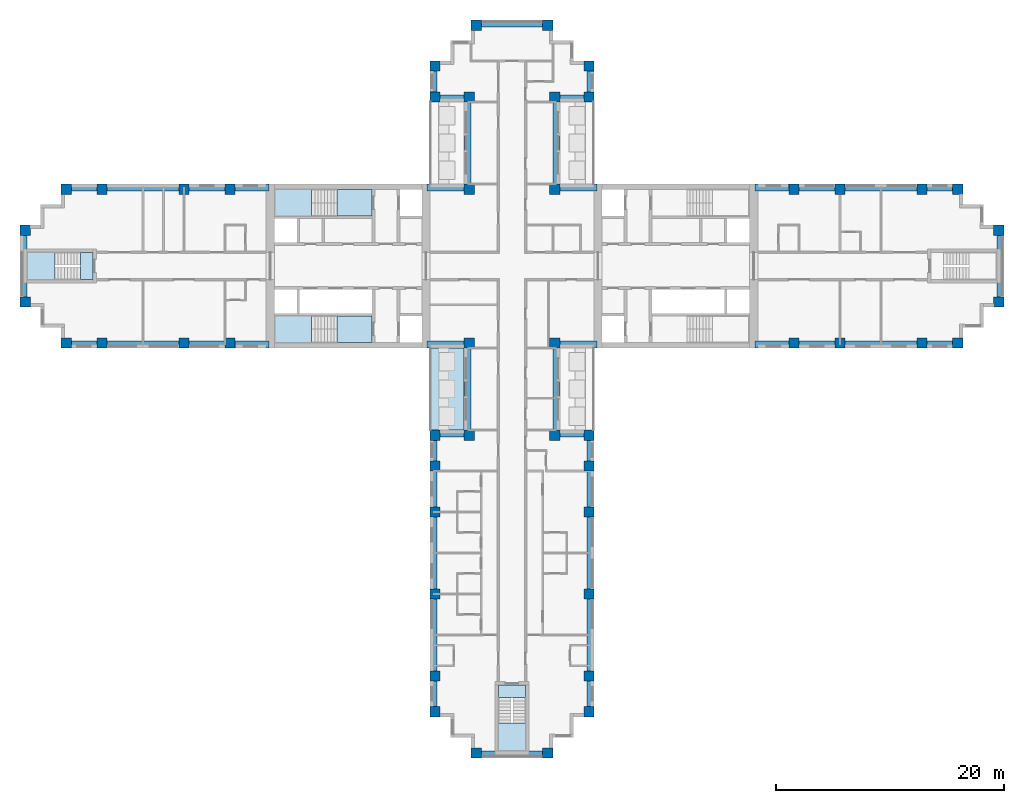
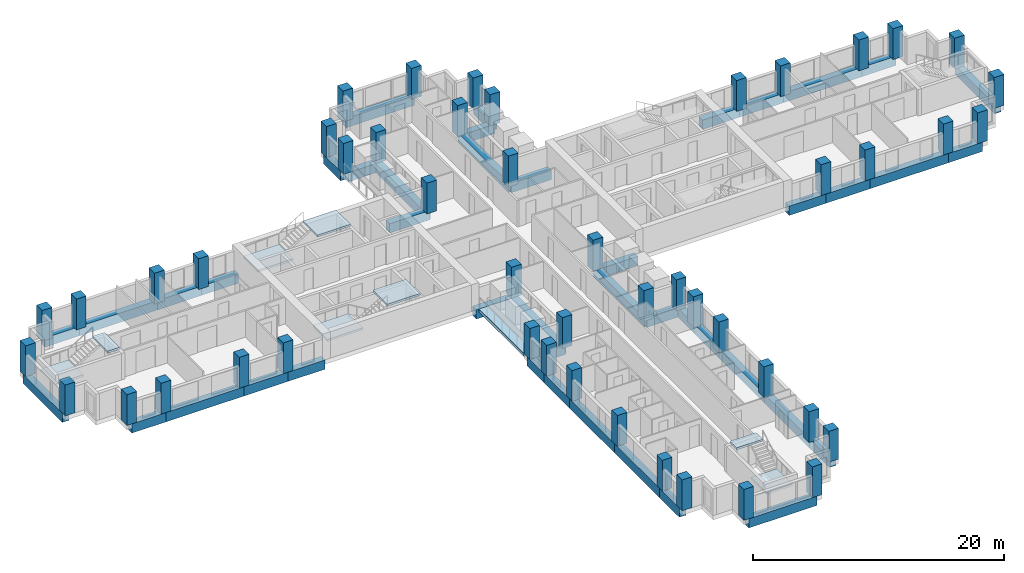
# One storey, part 1 of 13: 48 columns, 44 beams, 9 slabs, 4 elements without a shape of their own.
"""IFC4 building model written with IfcOpenShell, lengths in metres."""

from ifc_helpers import new_model, si_unit, direction, frame, origin, origin_2d, place, context, subcontext, project, spatial, polyline, rectangle, outline, extrude, material, layer, layer_set, material_profile, profile_set, type_object, element, aggregate, save


model = new_model("IFC4")

# Units and contexts
model_context = context("Model", 3, precision=1e-05, world=origin(), true_north=direction((0.0, 1.0)))
body_context = subcontext(model_context, "Body", "Model", "MODEL_VIEW")
ifc_project = project(units=[si_unit("LENGTHUNIT", "METRE"), si_unit("AREAUNIT", "SQUARE_METRE"), si_unit("VOLUMEUNIT", "CUBIC_METRE"), si_unit("PLANEANGLEUNIT", "RADIAN"), si_unit("MASSUNIT", "GRAM", prefix="KILO")], contexts=[model_context])

# Site, building, storey
site_placement = place(None, origin())
site = spatial("IfcSite", under=ifc_project, at=site_placement, CompositionType="ELEMENT")
building_placement = place(site_placement, origin())
building = spatial("IfcBuilding", under=site, at=building_placement, Name="Fustian Cross Tower", CompositionType="ELEMENT")
storey_placement = place(building_placement, frame((0.0, 0.0, 87.89990234375)))
storey = spatial("IfcBuildingStorey", under=building, at=storey_placement, Name="L27", CompositionType="ELEMENT", Elevation=87.89990234375)

# Columns
ifc_material_1 = material(Name="Concrete C60/75", Category="concrete")
ifc_material_profile_1 = material_profile(ifc_material_1, rectangle(XDim=0.89990234375, YDim=0.89990234375, at=origin_2d()), Name="RC 900x900")
ifc_profile_set_1 = profile_set([ifc_material_profile_1], Name="Concrete C60/75")
column_type = type_object("IfcColumnType", Name="COLUMN RC 900x900 C60/75", PredefinedType="COLUMN", material=ifc_profile_set_1)
for number, where, z_axis, x_axis, name in (
    (1, (-42.75, -3.14990234375, 0.0), (0.0, 0.0, 1.0), (1.0, 0.0, 0.0), "COLUMN 001"),
    (2, (-42.75, 3.14990234375, 0.0), (0.0, 0.0, 1.0), (1.0, 0.0, 0.0), "COLUMN 002"),
    (3, (-39.14990234375, -6.75, 0.0), (0.0, 0.0, 1.0), (1.0, 0.0, 0.0), "COLUMN 003"),
    (4, (-39.14990234375, 6.75, 0.0), (0.0, 0.0, 1.0), (1.0, 0.0, 0.0), "COLUMN 004"),
    (5, (-36.0, -6.75, 0.0), (0.0, 0.0, 1.0), (1.0, 0.0, 0.0), "COLUMN 005"),
    (6, (-36.0, 6.75, 0.0), (0.0, 0.0, 1.0), (1.0, 0.0, 0.0), "COLUMN 006"),
    (7, (-28.800048828125, -6.75, 0.0), (0.0, 0.0, 1.0), (1.0, 0.0, 0.0), "COLUMN 007"),
    (8, (-28.800048828125, 6.75, 0.0), (0.0, 0.0, 1.0), (1.0, 0.0, 0.0), "COLUMN 010"),
    (9, (-24.75, -6.75, 0.0), (0.0, 0.0, 1.0), (1.0, 0.0, 0.0), "COLUMN 011"),
    (10, (-24.75, 6.75, 0.0), (0.0, 0.0, 1.0), (1.0, 0.0, 0.0), "COLUMN 012"),
    (11, (-6.75, -39.14990234375, 0.0), (0.0, 0.0, 1.0), (1.0, 0.0, 0.0), "COLUMN 013"),
    (12, (-6.75, -36.0, 0.0), (0.0, 0.0, 1.0), (1.0, 0.0, 0.0), "COLUMN 014"),
    (13, (-6.75, -28.800048828125, 0.0), (0.0, 0.0, 1.0), (1.0, 0.0, 0.0), "COLUMN 015"),
    (14, (-6.75, -21.60009765625, 0.0), (0.0, 0.0, 1.0), (1.0, 0.0, 0.0), "COLUMN 016"),
    (15, (-6.75, -17.550048828125, 0.0), (0.0, 0.0, 1.0), (1.0, 0.0, 0.0), "COLUMN 017"),
    (16, (-6.75, -14.85009765625, 0.0), (0.0, 0.0, 1.0), (1.0, 0.0, 0.0), "COLUMN 018"),
    (17, (-6.75, 14.85009765625, 0.0), (0.0, 0.0, 1.0), (1.0, 0.0, 0.0), "COLUMN 019"),
    (18, (-6.75, 17.550048828125, 0.0), (0.0, 0.0, 1.0), (1.0, 0.0, 0.0), "COLUMN 020"),
    (19, (-3.75, -14.85009765625, 0.0), (0.0, 0.0, 1.0), (1.0, 0.0, 0.0), "COLUMN 025"),
    (20, (-3.75, -6.75, 0.0), (0.0, 0.0, 1.0), (1.0, 0.0, 0.0), "COLUMN 026"),
    (21, (-3.75, 6.75, 0.0), (0.0, 0.0, 1.0), (1.0, 0.0, 0.0), "COLUMN 027"),
    (22, (-3.75, 14.85009765625, 0.0), (0.0, 0.0, 1.0), (1.0, 0.0, 0.0), "COLUMN 028"),
    (23, (-3.14990234375, -42.75, 0.0), (0.0, 0.0, 1.0), (1.0, 0.0, 0.0), "COLUMN 029"),
    (24, (-3.14990234375, 21.14990234375, 0.0), (0.0, 0.0, 1.0), (1.0, 0.0, 0.0), "COLUMN 031"),
    (25, (3.14990234375, -42.75, 0.0), (0.0, 0.0, 1.0), (1.0, 0.0, 0.0), "COLUMN 033"),
    (26, (3.14990234375, 21.14990234375, 0.0), (0.0, 0.0, 1.0), (1.0, 0.0, 0.0), "COLUMN 035"),
    (27, (3.75, -14.85009765625, 0.0), (0.0, 0.0, 1.0), (1.0, 0.0, 0.0), "COLUMN 037"),
    (28, (3.75, -6.75, 0.0), (0.0, 0.0, 1.0), (1.0, 0.0, 0.0), "COLUMN 038"),
    (29, (3.75, 6.75, 0.0), (0.0, 0.0, 1.0), (1.0, 0.0, 0.0), "COLUMN 039"),
    (30, (3.75, 14.85009765625, 0.0), (0.0, 0.0, 1.0), (1.0, 0.0, 0.0), "COLUMN 040"),
    (31, (6.75, -39.14990234375, 0.0), (0.0, 0.0, 1.0), (1.0, 0.0, 0.0), "COLUMN 041"),
    (32, (6.75, -36.0, 0.0), (0.0, 0.0, 1.0), (1.0, 0.0, 0.0), "COLUMN 042"),
    (33, (6.75, -28.800048828125, 0.0), (0.0, 0.0, 1.0), (1.0, 0.0, 0.0), "COLUMN 043"),
    (34, (6.75, -21.60009765625, 0.0), (0.0, 0.0, 1.0), (1.0, 0.0, 0.0), "COLUMN 044"),
    (35, (6.75, -17.550048828125, 0.0), (0.0, 0.0, 1.0), (1.0, 0.0, 0.0), "COLUMN 045"),
    (36, (6.75, -14.85009765625, 0.0), (0.0, 0.0, 1.0), (1.0, 0.0, 0.0), "COLUMN 046"),
    (37, (6.75, 14.85009765625, 0.0), (0.0, 0.0, 1.0), (1.0, 0.0, 0.0), "COLUMN 047"),
    (38, (6.75, 17.550048828125, 0.0), (0.0, 0.0, 1.0), (1.0, 0.0, 0.0), "COLUMN 048"),
    (39, (24.75, -6.75, 0.0), (0.0, 0.0, 1.0), (1.0, 0.0, 0.0), "COLUMN 053"),
    (40, (24.75, 6.75, 0.0), (0.0, 0.0, 1.0), (1.0, 0.0, 0.0), "COLUMN 054"),
    (41, (28.800048828125, -6.75, 0.0), (0.0, 0.0, 1.0), (1.0, 0.0, 0.0), "COLUMN 055"),
    (42, (28.800048828125, 6.75, 0.0), (0.0, 0.0, 1.0), (1.0, 0.0, 0.0), "COLUMN 058"),
    (43, (36.0, -6.75, 0.0), (0.0, 0.0, 1.0), (1.0, 0.0, 0.0), "COLUMN 059"),
    (44, (36.0, 6.75, 0.0), (0.0, 0.0, 1.0), (1.0, 0.0, 0.0), "COLUMN 060"),
    (45, (39.14990234375, -6.75, 0.0), (0.0, 0.0, 1.0), (1.0, 0.0, 0.0), "COLUMN 061"),
    (46, (39.14990234375, 6.75, 0.0), (0.0, 0.0, 1.0), (1.0, 0.0, 0.0), "COLUMN 062"),
    (47, (42.75, -3.14990234375, 0.0), (0.0, 0.0, 1.0), (1.0, 0.0, 0.0), "COLUMN 063"),
    (48, (42.75, 3.14990234375, 0.0), (0.0, 0.0, 1.0), (1.0, 0.0, 0.0), "COLUMN 064"),
):
    element("IfcColumn", number, at=place(storey_placement, frame(where, z_axis=z_axis, x_axis=x_axis)), inside=storey, type_object=column_type, Name=name, PredefinedType="COLUMN", context=body_context, shape_type="SweptSolid", body=[
        extrude(rectangle(XDim=0.89990234375, YDim=0.89990234375, at=origin_2d()), origin(), (0.0, 0.0, 1.0), 3.0),
    ])

# Beams
ifc_material_2 = material(Name="Concrete C50/60", Category="concrete")
ifc_material_profile_2 = material_profile(ifc_material_2, rectangle(XDim=0.60009765625, YDim=0.89990234375, at=origin_2d()), Name="RC 600x900")
ifc_profile_set_2 = profile_set([ifc_material_profile_2], Name="Concrete C50/60")
beam_type = type_object("IfcBeamType", Name="EDGE BEAM RC 600x900 C50/60", PredefinedType="SPANDREL", material=ifc_profile_set_2)
beam_1_placement = place(storey_placement, frame((21.35009765625, -6.89990234375, -0.449951171875), z_axis=(1.0, 0.0, 0.0), x_axis=(0.0, 1.0, 0.0)))
element("IfcBeam", 49, at=beam_1_placement, inside=storey, type_object=beam_type, Name="EDGE BEAM L27-01", PredefinedType="SPANDREL", context=body_context, shape_type="SweptSolid", body=[
    extrude(rectangle(XDim=0.60009765625, YDim=0.89990234375, at=origin_2d()), origin(), (0.0, 0.0, 1.0), 3.39990234375),
])
beam_2_placement = place(storey_placement, frame((24.75, -6.89990234375, -0.449951171875), z_axis=(1.0, 0.0, 0.0), x_axis=(0.0, 1.0, 0.0)))
element("IfcBeam", 50, at=beam_2_placement, inside=storey, type_object=beam_type, Name="EDGE BEAM L27-02", PredefinedType="SPANDREL", context=body_context, shape_type="SweptSolid", body=[
    extrude(rectangle(XDim=0.60009765625, YDim=0.89990234375, at=origin_2d()), origin(), (0.0, 0.0, 1.0), 4.050048828125),
])
beam_3_placement = place(storey_placement, frame((28.800048828125, -6.89990234375, -0.449951171875), z_axis=(1.0, 0.0, 0.0), x_axis=(0.0, 1.0, 0.0)))
element("IfcBeam", 51, at=beam_3_placement, inside=storey, type_object=beam_type, Name="EDGE BEAM L27-03", PredefinedType="SPANDREL", context=body_context, shape_type="SweptSolid", body=[
    extrude(rectangle(XDim=0.60009765625, YDim=0.89990234375, at=origin_2d()), origin(), (0.0, 0.0, 1.0), 7.199951171875),
])
beam_4_placement = place(storey_placement, frame((36.0, -6.89990234375, -0.449951171875), z_axis=(1.0, 0.0, 0.0), x_axis=(0.0, 1.0, 0.0)))
element("IfcBeam", 52, at=beam_4_placement, inside=storey, type_object=beam_type, Name="EDGE BEAM L27-04", PredefinedType="SPANDREL", context=body_context, shape_type="SweptSolid", body=[
    extrude(rectangle(XDim=0.60009765625, YDim=0.89990234375, at=origin_2d()), origin(), (0.0, 0.0, 1.0), 3.14990234375),
])
beam_5_placement = place(storey_placement, frame((42.89990234375, -3.14990234375, -0.449951171875), z_axis=(0.0, 1.0, 0.0), x_axis=(-1.0, 0.0, 0.0)))
element("IfcBeam", 53, at=beam_5_placement, inside=storey, type_object=beam_type, Name="EDGE BEAM L27-05", PredefinedType="SPANDREL", context=body_context, shape_type="SweptSolid", body=[
    extrude(rectangle(XDim=0.60009765625, YDim=0.89990234375, at=origin_2d()), origin(), (0.0, 0.0, 1.0), 6.2998046875),
])
beam_6_placement = place(storey_placement, frame((39.14990234375, 6.89990234375, -0.449951171875), z_axis=(-1.0, 0.0, 0.0), x_axis=(0.0, -1.0, 0.0)))
element("IfcBeam", 54, at=beam_6_placement, inside=storey, type_object=beam_type, Name="EDGE BEAM L27-06", PredefinedType="SPANDREL", context=body_context, shape_type="SweptSolid", body=[
    extrude(rectangle(XDim=0.60009765625, YDim=0.89990234375, at=origin_2d()), origin(), (0.0, 0.0, 1.0), 3.14990234375),
])
beam_7_placement = place(storey_placement, frame((36.0, 6.89990234375, -0.449951171875), z_axis=(-1.0, 0.0, 0.0), x_axis=(0.0, -1.0, 0.0)))
element("IfcBeam", 55, at=beam_7_placement, inside=storey, type_object=beam_type, Name="EDGE BEAM L27-07", PredefinedType="SPANDREL", context=body_context, shape_type="SweptSolid", body=[
    extrude(rectangle(XDim=0.60009765625, YDim=0.89990234375, at=origin_2d()), origin(), (0.0, 0.0, 1.0), 7.199951171875),
])
beam_8_placement = place(storey_placement, frame((28.800048828125, 6.89990234375, -0.449951171875), z_axis=(-1.0, 0.0, 0.0), x_axis=(0.0, -1.0, 0.0)))
element("IfcBeam", 56, at=beam_8_placement, inside=storey, type_object=beam_type, Name="EDGE BEAM L27-08", PredefinedType="SPANDREL", context=body_context, shape_type="SweptSolid", body=[
    extrude(rectangle(XDim=0.60009765625, YDim=0.89990234375, at=origin_2d()), origin(), (0.0, 0.0, 1.0), 4.050048828125),
])
beam_9_placement = place(storey_placement, frame((24.75, 6.89990234375, -0.449951171875), z_axis=(-1.0, 0.0, 0.0), x_axis=(0.0, -1.0, 0.0)))
element("IfcBeam", 57, at=beam_9_placement, inside=storey, type_object=beam_type, Name="EDGE BEAM L27-09", PredefinedType="SPANDREL", context=body_context, shape_type="SweptSolid", body=[
    extrude(rectangle(XDim=0.60009765625, YDim=0.89990234375, at=origin_2d()), origin(), (0.0, 0.0, 1.0), 3.39990234375),
])
beam_10_placement = place(storey_placement, frame((7.449951171875, 6.89990234375, -0.449951171875), z_axis=(-1.0, 0.0, 0.0), x_axis=(0.0, -1.0, 0.0)))
element("IfcBeam", 58, at=beam_10_placement, inside=storey, type_object=beam_type, Name="EDGE BEAM L27-10", PredefinedType="SPANDREL", context=body_context, shape_type="SweptSolid", body=[
    extrude(rectangle(XDim=0.60009765625, YDim=0.89990234375, at=origin_2d()), origin(), (0.0, 0.0, 1.0), 3.699951171875),
])
beam_11_placement = place(storey_placement, frame((3.89990234375, 6.75, -0.449951171875), z_axis=(0.0, 1.0, 0.0), x_axis=(-1.0, 0.0, 0.0)))
element("IfcBeam", 59, at=beam_11_placement, inside=storey, type_object=beam_type, Name="EDGE BEAM L27-11", PredefinedType="SPANDREL", context=body_context, shape_type="SweptSolid", body=[
    extrude(rectangle(XDim=0.60009765625, YDim=0.89990234375, at=origin_2d()), origin(), (0.0, 0.0, 1.0), 8.10009765625),
])
beam_12_placement = place(storey_placement, frame((3.75, 14.699951171875, -0.449951171875), z_axis=(1.0, 0.0, 0.0), x_axis=(0.0, 1.0, 0.0)))
element("IfcBeam", 60, at=beam_12_placement, inside=storey, type_object=beam_type, Name="EDGE BEAM L27-12", PredefinedType="SPANDREL", context=body_context, shape_type="SweptSolid", body=[
    extrude(rectangle(XDim=0.60009765625, YDim=0.89990234375, at=origin_2d()), origin(), (0.0, 0.0, 1.0), 3.0),
])
beam_13_placement = place(storey_placement, frame((6.89990234375, 14.85009765625, -0.449951171875), z_axis=(0.0, 1.0, 0.0), x_axis=(-1.0, 0.0, 0.0)))
element("IfcBeam", 61, at=beam_13_placement, inside=storey, type_object=beam_type, Name="EDGE BEAM L27-13", PredefinedType="SPANDREL", context=body_context, shape_type="SweptSolid", body=[
    extrude(rectangle(XDim=0.60009765625, YDim=0.89990234375, at=origin_2d()), origin(), (0.0, 0.0, 1.0), 2.699951171875),
])
beam_14_placement = place(storey_placement, frame((3.14990234375, 21.300048828125, -0.449951171875), z_axis=(-1.0, 0.0, 0.0), x_axis=(0.0, -1.0, 0.0)))
element("IfcBeam", 62, at=beam_14_placement, inside=storey, type_object=beam_type, Name="EDGE BEAM L27-14", PredefinedType="SPANDREL", context=body_context, shape_type="SweptSolid", body=[
    extrude(rectangle(XDim=0.60009765625, YDim=0.89990234375, at=origin_2d()), origin(), (0.0, 0.0, 1.0), 6.2998046875),
])
beam_15_placement = place(storey_placement, frame((-6.89990234375, 17.550048828125, -0.449951171875), z_axis=(0.0, -1.0, 0.0), x_axis=(1.0, 0.0, 0.0)))
element("IfcBeam", 63, at=beam_15_placement, inside=storey, type_object=beam_type, Name="EDGE BEAM L27-15", PredefinedType="SPANDREL", context=body_context, shape_type="SweptSolid", body=[
    extrude(rectangle(XDim=0.60009765625, YDim=0.89990234375, at=origin_2d()), origin(), (0.0, 0.0, 1.0), 2.699951171875),
])
beam_16_placement = place(storey_placement, frame((-6.75, 14.699951171875, -0.449951171875), z_axis=(1.0, 0.0, 0.0), x_axis=(0.0, 1.0, 0.0)))
element("IfcBeam", 64, at=beam_16_placement, inside=storey, type_object=beam_type, Name="EDGE BEAM L27-16", PredefinedType="SPANDREL", context=body_context, shape_type="SweptSolid", body=[
    extrude(rectangle(XDim=0.60009765625, YDim=0.89990234375, at=origin_2d()), origin(), (0.0, 0.0, 1.0), 3.0),
])
beam_17_placement = place(storey_placement, frame((-3.89990234375, 14.85009765625, -0.449951171875), z_axis=(0.0, -1.0, 0.0), x_axis=(1.0, 0.0, 0.0)))
element("IfcBeam", 65, at=beam_17_placement, inside=storey, type_object=beam_type, Name="EDGE BEAM L27-17", PredefinedType="SPANDREL", context=body_context, shape_type="SweptSolid", body=[
    extrude(rectangle(XDim=0.60009765625, YDim=0.89990234375, at=origin_2d()), origin(), (0.0, 0.0, 1.0), 8.10009765625),
])
beam_18_placement = place(storey_placement, frame((-3.75, 6.89990234375, -0.449951171875), z_axis=(-1.0, 0.0, 0.0), x_axis=(0.0, -1.0, 0.0)))
element("IfcBeam", 66, at=beam_18_placement, inside=storey, type_object=beam_type, Name="EDGE BEAM L27-18", PredefinedType="SPANDREL", context=body_context, shape_type="SweptSolid", body=[
    extrude(rectangle(XDim=0.60009765625, YDim=0.89990234375, at=origin_2d()), origin(), (0.0, 0.0, 1.0), 3.699951171875),
])
beam_19_placement = place(storey_placement, frame((-21.35009765625, 6.89990234375, -0.449951171875), z_axis=(-1.0, 0.0, 0.0), x_axis=(0.0, -1.0, 0.0)))
element("IfcBeam", 67, at=beam_19_placement, inside=storey, type_object=beam_type, Name="EDGE BEAM L27-19", PredefinedType="SPANDREL", context=body_context, shape_type="SweptSolid", body=[
    extrude(rectangle(XDim=0.60009765625, YDim=0.89990234375, at=origin_2d()), origin(), (0.0, 0.0, 1.0), 3.39990234375),
])
beam_20_placement = place(storey_placement, frame((-24.75, 6.89990234375, -0.449951171875), z_axis=(-1.0, 0.0, 0.0), x_axis=(0.0, -1.0, 0.0)))
element("IfcBeam", 68, at=beam_20_placement, inside=storey, type_object=beam_type, Name="EDGE BEAM L27-20", PredefinedType="SPANDREL", context=body_context, shape_type="SweptSolid", body=[
    extrude(rectangle(XDim=0.60009765625, YDim=0.89990234375, at=origin_2d()), origin(), (0.0, 0.0, 1.0), 4.050048828125),
])
beam_21_placement = place(storey_placement, frame((-28.800048828125, 6.89990234375, -0.449951171875), z_axis=(-1.0, 0.0, 0.0), x_axis=(0.0, -1.0, 0.0)))
element("IfcBeam", 69, at=beam_21_placement, inside=storey, type_object=beam_type, Name="EDGE BEAM L27-21", PredefinedType="SPANDREL", context=body_context, shape_type="SweptSolid", body=[
    extrude(rectangle(XDim=0.60009765625, YDim=0.89990234375, at=origin_2d()), origin(), (0.0, 0.0, 1.0), 7.199951171875),
])
beam_22_placement = place(storey_placement, frame((-36.0, 6.89990234375, -0.449951171875), z_axis=(-1.0, 0.0, 0.0), x_axis=(0.0, -1.0, 0.0)))
element("IfcBeam", 70, at=beam_22_placement, inside=storey, type_object=beam_type, Name="EDGE BEAM L27-22", PredefinedType="SPANDREL", context=body_context, shape_type="SweptSolid", body=[
    extrude(rectangle(XDim=0.60009765625, YDim=0.89990234375, at=origin_2d()), origin(), (0.0, 0.0, 1.0), 3.14990234375),
])
beam_23_placement = place(storey_placement, frame((-42.89990234375, 3.14990234375, -0.449951171875), z_axis=(0.0, -1.0, 0.0), x_axis=(1.0, 0.0, 0.0)))
element("IfcBeam", 71, at=beam_23_placement, inside=storey, type_object=beam_type, Name="EDGE BEAM L27-23", PredefinedType="SPANDREL", context=body_context, shape_type="SweptSolid", body=[
    extrude(rectangle(XDim=0.60009765625, YDim=0.89990234375, at=origin_2d()), origin(), (0.0, 0.0, 1.0), 6.2998046875),
])
beam_24_placement = place(storey_placement, frame((-39.14990234375, -6.89990234375, -0.449951171875), z_axis=(1.0, 0.0, 0.0), x_axis=(0.0, 1.0, 0.0)))
element("IfcBeam", 72, at=beam_24_placement, inside=storey, type_object=beam_type, Name="EDGE BEAM L27-24", PredefinedType="SPANDREL", context=body_context, shape_type="SweptSolid", body=[
    extrude(rectangle(XDim=0.60009765625, YDim=0.89990234375, at=origin_2d()), origin(), (0.0, 0.0, 1.0), 3.14990234375),
])
beam_25_placement = place(storey_placement, frame((-36.0, -6.89990234375, -0.449951171875), z_axis=(1.0, 0.0, 0.0), x_axis=(0.0, 1.0, 0.0)))
element("IfcBeam", 73, at=beam_25_placement, inside=storey, type_object=beam_type, Name="EDGE BEAM L27-25", PredefinedType="SPANDREL", context=body_context, shape_type="SweptSolid", body=[
    extrude(rectangle(XDim=0.60009765625, YDim=0.89990234375, at=origin_2d()), origin(), (0.0, 0.0, 1.0), 7.199951171875),
])
beam_26_placement = place(storey_placement, frame((-28.800048828125, -6.89990234375, -0.449951171875), z_axis=(1.0, 0.0, 0.0), x_axis=(0.0, 1.0, 0.0)))
element("IfcBeam", 74, at=beam_26_placement, inside=storey, type_object=beam_type, Name="EDGE BEAM L27-26", PredefinedType="SPANDREL", context=body_context, shape_type="SweptSolid", body=[
    extrude(rectangle(XDim=0.60009765625, YDim=0.89990234375, at=origin_2d()), origin(), (0.0, 0.0, 1.0), 4.050048828125),
])
beam_27_placement = place(storey_placement, frame((-24.75, -6.89990234375, -0.449951171875), z_axis=(1.0, 0.0, 0.0), x_axis=(0.0, 1.0, 0.0)))
element("IfcBeam", 75, at=beam_27_placement, inside=storey, type_object=beam_type, Name="EDGE BEAM L27-27", PredefinedType="SPANDREL", context=body_context, shape_type="SweptSolid", body=[
    extrude(rectangle(XDim=0.60009765625, YDim=0.89990234375, at=origin_2d()), origin(), (0.0, 0.0, 1.0), 3.39990234375),
])
beam_28_placement = place(storey_placement, frame((-7.449951171875, -6.89990234375, -0.449951171875), z_axis=(1.0, 0.0, 0.0), x_axis=(0.0, 1.0, 0.0)))
element("IfcBeam", 76, at=beam_28_placement, inside=storey, type_object=beam_type, Name="EDGE BEAM L27-28", PredefinedType="SPANDREL", context=body_context, shape_type="SweptSolid", body=[
    extrude(rectangle(XDim=0.60009765625, YDim=0.89990234375, at=origin_2d()), origin(), (0.0, 0.0, 1.0), 3.699951171875),
])
beam_29_placement = place(storey_placement, frame((-3.89990234375, -6.75, -0.449951171875), z_axis=(0.0, -1.0, 0.0), x_axis=(1.0, 0.0, 0.0)))
element("IfcBeam", 77, at=beam_29_placement, inside=storey, type_object=beam_type, Name="EDGE BEAM L27-29", PredefinedType="SPANDREL", context=body_context, shape_type="SweptSolid", body=[
    extrude(rectangle(XDim=0.60009765625, YDim=0.89990234375, at=origin_2d()), origin(), (0.0, 0.0, 1.0), 8.10009765625),
])
beam_30_placement = place(storey_placement, frame((-3.75, -14.699951171875, -0.449951171875), z_axis=(-1.0, 0.0, 0.0), x_axis=(0.0, -1.0, 0.0)))
element("IfcBeam", 78, at=beam_30_placement, inside=storey, type_object=beam_type, Name="EDGE BEAM L27-30", PredefinedType="SPANDREL", context=body_context, shape_type="SweptSolid", body=[
    extrude(rectangle(XDim=0.60009765625, YDim=0.89990234375, at=origin_2d()), origin(), (0.0, 0.0, 1.0), 3.0),
])
beam_31_placement = place(storey_placement, frame((-6.89990234375, -14.85009765625, -0.449951171875), z_axis=(0.0, -1.0, 0.0), x_axis=(1.0, 0.0, 0.0)))
element("IfcBeam", 79, at=beam_31_placement, inside=storey, type_object=beam_type, Name="EDGE BEAM L27-31", PredefinedType="SPANDREL", context=body_context, shape_type="SweptSolid", body=[
    extrude(rectangle(XDim=0.60009765625, YDim=0.89990234375, at=origin_2d()), origin(), (0.0, 0.0, 1.0), 2.699951171875),
])
beam_32_placement = place(storey_placement, frame((-6.89990234375, -17.550048828125, -0.449951171875), z_axis=(0.0, -1.0, 0.0), x_axis=(1.0, 0.0, 0.0)))
element("IfcBeam", 80, at=beam_32_placement, inside=storey, type_object=beam_type, Name="EDGE BEAM L27-32", PredefinedType="SPANDREL", context=body_context, shape_type="SweptSolid", body=[
    extrude(rectangle(XDim=0.60009765625, YDim=0.89990234375, at=origin_2d()), origin(), (0.0, 0.0, 1.0), 4.050048828125),
])
for number, where, z_axis, x_axis, name in (
    (81, (-6.89990234375, -21.60009765625, -0.449951171875), (0.0, -1.0, 0.0), (1.0, 0.0, 0.0), "EDGE BEAM L27-33"),
    (82, (-6.89990234375, -28.800048828125, -0.449951171875), (0.0, -1.0, 0.0), (1.0, 0.0, 0.0), "EDGE BEAM L27-34"),
):
    element("IfcBeam", number, at=place(storey_placement, frame(where, z_axis=z_axis, x_axis=x_axis)), inside=storey, type_object=beam_type, Name=name, PredefinedType="SPANDREL", context=body_context, shape_type="SweptSolid", body=[
        extrude(rectangle(XDim=0.60009765625, YDim=0.89990234375, at=origin_2d()), origin(), (0.0, 0.0, 1.0), 7.199951171875),
    ])
beam_33_placement = place(storey_placement, frame((-6.89990234375, -36.0, -0.449951171875), z_axis=(0.0, -1.0, 0.0), x_axis=(1.0, 0.0, 0.0)))
element("IfcBeam", 83, at=beam_33_placement, inside=storey, type_object=beam_type, Name="EDGE BEAM L27-35", PredefinedType="SPANDREL", context=body_context, shape_type="SweptSolid", body=[
    extrude(rectangle(XDim=0.60009765625, YDim=0.89990234375, at=origin_2d()), origin(), (0.0, 0.0, 1.0), 3.14990234375),
])
beam_34_placement = place(storey_placement, frame((-3.14990234375, -42.89990234375, -0.449951171875), z_axis=(1.0, 0.0, 0.0), x_axis=(0.0, 1.0, 0.0)))
element("IfcBeam", 84, at=beam_34_placement, inside=storey, type_object=beam_type, Name="EDGE BEAM L27-36", PredefinedType="SPANDREL", context=body_context, shape_type="SweptSolid", body=[
    extrude(rectangle(XDim=0.60009765625, YDim=0.89990234375, at=origin_2d()), origin(), (0.0, 0.0, 1.0), 6.2998046875),
])
beam_35_placement = place(storey_placement, frame((6.89990234375, -39.14990234375, -0.449951171875), z_axis=(0.0, 1.0, 0.0), x_axis=(-1.0, 0.0, 0.0)))
element("IfcBeam", 85, at=beam_35_placement, inside=storey, type_object=beam_type, Name="EDGE BEAM L27-37", PredefinedType="SPANDREL", context=body_context, shape_type="SweptSolid", body=[
    extrude(rectangle(XDim=0.60009765625, YDim=0.89990234375, at=origin_2d()), origin(), (0.0, 0.0, 1.0), 3.14990234375),
])
for number, where, z_axis, x_axis, name in (
    (86, (6.89990234375, -36.0, -0.449951171875), (0.0, 1.0, 0.0), (-1.0, 0.0, 0.0), "EDGE BEAM L27-38"),
    (87, (6.89990234375, -28.800048828125, -0.449951171875), (0.0, 1.0, 0.0), (-1.0, 0.0, 0.0), "EDGE BEAM L27-39"),
):
    element("IfcBeam", number, at=place(storey_placement, frame(where, z_axis=z_axis, x_axis=x_axis)), inside=storey, type_object=beam_type, Name=name, PredefinedType="SPANDREL", context=body_context, shape_type="SweptSolid", body=[
        extrude(rectangle(XDim=0.60009765625, YDim=0.89990234375, at=origin_2d()), origin(), (0.0, 0.0, 1.0), 7.199951171875),
    ])
beam_36_placement = place(storey_placement, frame((6.89990234375, -21.60009765625, -0.449951171875), z_axis=(0.0, 1.0, 0.0), x_axis=(-1.0, 0.0, 0.0)))
element("IfcBeam", 88, at=beam_36_placement, inside=storey, type_object=beam_type, Name="EDGE BEAM L27-40", PredefinedType="SPANDREL", context=body_context, shape_type="SweptSolid", body=[
    extrude(rectangle(XDim=0.60009765625, YDim=0.89990234375, at=origin_2d()), origin(), (0.0, 0.0, 1.0), 4.050048828125),
])
beam_37_placement = place(storey_placement, frame((6.89990234375, -17.550048828125, -0.449951171875), z_axis=(0.0, 1.0, 0.0), x_axis=(-1.0, 0.0, 0.0)))
element("IfcBeam", 89, at=beam_37_placement, inside=storey, type_object=beam_type, Name="EDGE BEAM L27-41", PredefinedType="SPANDREL", context=body_context, shape_type="SweptSolid", body=[
    extrude(rectangle(XDim=0.60009765625, YDim=0.89990234375, at=origin_2d()), origin(), (0.0, 0.0, 1.0), 2.699951171875),
])
beam_38_placement = place(storey_placement, frame((6.75, -14.699951171875, -0.449951171875), z_axis=(-1.0, 0.0, 0.0), x_axis=(0.0, -1.0, 0.0)))
element("IfcBeam", 90, at=beam_38_placement, inside=storey, type_object=beam_type, Name="EDGE BEAM L27-42", PredefinedType="SPANDREL", context=body_context, shape_type="SweptSolid", body=[
    extrude(rectangle(XDim=0.60009765625, YDim=0.89990234375, at=origin_2d()), origin(), (0.0, 0.0, 1.0), 3.0),
])
beam_39_placement = place(storey_placement, frame((3.89990234375, -14.85009765625, -0.449951171875), z_axis=(0.0, 1.0, 0.0), x_axis=(-1.0, 0.0, 0.0)))
element("IfcBeam", 91, at=beam_39_placement, inside=storey, type_object=beam_type, Name="EDGE BEAM L27-43", PredefinedType="SPANDREL", context=body_context, shape_type="SweptSolid", body=[
    extrude(rectangle(XDim=0.60009765625, YDim=0.89990234375, at=origin_2d()), origin(), (0.0, 0.0, 1.0), 8.10009765625),
])
beam_40_placement = place(storey_placement, frame((3.75, -6.89990234375, -0.449951171875), z_axis=(1.0, 0.0, 0.0), x_axis=(0.0, 1.0, 0.0)))
element("IfcBeam", 92, at=beam_40_placement, inside=storey, type_object=beam_type, Name="EDGE BEAM L27-44", PredefinedType="SPANDREL", context=body_context, shape_type="SweptSolid", body=[
    extrude(rectangle(XDim=0.60009765625, YDim=0.89990234375, at=origin_2d()), origin(), (0.0, 0.0, 1.0), 3.699951171875),
])

# Slab
ifc_material_3 = material(Name="Concrete C40/50", Category="concrete")
ifc_layer_1 = layer(ifc_material_3, 0.300048828125)
ifc_layer_set_1 = layer_set([ifc_layer_1], Name="Concrete C40/50")
slab_type_1 = type_object("IfcSlabType", Name="BS1 BALCONY SLAB 300", PredefinedType="FLOOR", material=ifc_layer_set_1)
slab_1_placement = place(storey_placement, frame((0.0, 0.0, -0.2998046875)))
element("IfcSlab", 93, at=slab_1_placement, inside=storey, type_object=slab_type_1, Name="Balcony slab", PredefinedType="FLOOR", context=body_context, shape_type="SweptSolid", body=[
    extrude(outline(polyline([(-7.199951171875, -14.39990234375), (-4.199951171875, -14.39990234375), (-4.199951171875, -7.199951171875), (-7.199951171875, -7.199951171875), (-7.199951171875, -14.39990234375)])), origin(), (0.0, 0.0, 1.0), 0.2998046875),
])

# Stair, slabs
ifc_material_4 = material(Name="Concrete C50/60", Category="concrete")
stair_type_1 = type_object("IfcStairType", Name="STAIR 1150 HALF TURN", PredefinedType="HALF_TURN_STAIR", material=ifc_material_4)
stair_1_placement = place(storey_placement, origin())
stair_1 = element("IfcStair", 94, at=stair_1_placement, inside=storey, type_object=stair_type_1, Name="Stair ST3", PredefinedType="HALF_TURN_STAIR")
ifc_material_5 = material(Name="Concrete C50/60", Category="concrete")
ifc_layer_2 = layer(ifc_material_5, 0.199951171875)
ifc_layer_set_2 = layer_set([ifc_layer_2], Name="Concrete C50/60")
slab_type_2 = type_object("IfcSlabType", Name="STAIR LANDING", PredefinedType="LANDING", material=ifc_layer_set_2)
slab_2_placement = place(storey_placement, frame((0.0, 0.0, 1.300048828125)))
slab_2 = element("IfcSlab", 95, at=slab_2_placement, type_object=slab_type_2, Name="ST3 landing 1", PredefinedType="LANDING", context=body_context, shape_type="SweptSolid", body=[
    extrude(outline(polyline([(-17.590087890625, 4.39990234375), (-20.85009765625, 4.39990234375), (-20.85009765625, 6.699951171875), (-17.590087890625, 6.699951171875), (-17.590087890625, 4.39990234375)])), origin(), (0.0, 0.0, 1.0), 0.199951171875),
])
slab_3_placement = place(storey_placement, frame((0.0, 0.0, 2.800048828125)))
slab_3 = element("IfcSlab", 96, at=slab_3_placement, type_object=slab_type_2, Name="ST3 landing 2", PredefinedType="LANDING", context=body_context, shape_type="SweptSolid", body=[
    extrude(outline(polyline([(-12.300048828125, 4.39990234375), (-15.35009765625, 4.39990234375), (-15.35009765625, 6.699951171875), (-12.300048828125, 6.699951171875), (-12.300048828125, 4.39990234375)])), origin(), (0.0, 0.0, 1.0), 0.199951171875),
])
aggregate(stair_1, [slab_2, slab_3])

stair_2_placement = place(storey_placement, origin())
stair_2 = element("IfcStair", 97, at=stair_2_placement, inside=storey, type_object=stair_type_1, Name="Stair ST4", PredefinedType="HALF_TURN_STAIR")
slab_4_placement = place(storey_placement, frame((0.0, 0.0, 1.300048828125)))
slab_4 = element("IfcSlab", 98, at=slab_4_placement, type_object=slab_type_2, Name="ST4 landing 1", PredefinedType="LANDING", context=body_context, shape_type="SweptSolid", body=[
    extrude(outline(polyline([(-17.590087890625, -4.39990234375), (-20.85009765625, -4.39990234375), (-20.85009765625, -6.699951171875), (-17.590087890625, -6.699951171875), (-17.590087890625, -4.39990234375)])), origin(), (0.0, 0.0, 1.0), 0.199951171875),
])
slab_5_placement = place(storey_placement, frame((0.0, 0.0, 2.800048828125)))
slab_5 = element("IfcSlab", 99, at=slab_5_placement, type_object=slab_type_2, Name="ST4 landing 2", PredefinedType="LANDING", context=body_context, shape_type="SweptSolid", body=[
    extrude(outline(polyline([(-12.300048828125, -4.39990234375), (-15.35009765625, -4.39990234375), (-15.35009765625, -6.699951171875), (-12.300048828125, -6.699951171875), (-12.300048828125, -4.39990234375)])), origin(), (0.0, 0.0, 1.0), 0.199951171875),
])
aggregate(stair_2, [slab_4, slab_5])

ifc_material_6 = material(Name="Concrete C50/60", Category="concrete")
stair_type_2 = type_object("IfcStairType", Name="STAIR 1100 HALF TURN", PredefinedType="HALF_TURN_STAIR", material=ifc_material_6)
stair_3_placement = place(storey_placement, origin())
stair_3 = element("IfcStair", 100, at=stair_3_placement, inside=storey, type_object=stair_type_2, Name="Stair ST6", PredefinedType="HALF_TURN_STAIR")
slab_6_placement = place(storey_placement, frame((0.0, 0.0, 1.300048828125)))
slab_6 = element("IfcSlab", 101, at=slab_6_placement, type_object=slab_type_2, Name="ST6 landing 1", PredefinedType="LANDING", context=body_context, shape_type="SweptSolid", body=[
    extrude(outline(polyline([(-1.199951171875, -40.139892578125), (-1.199951171875, -42.60009765625), (1.199951171875, -42.60009765625), (1.199951171875, -40.139892578125), (-1.199951171875, -40.139892578125)])), origin(), (0.0, 0.0, 1.0), 0.199951171875),
])
slab_7_placement = place(storey_placement, frame((0.0, 0.0, 2.800048828125)))
slab_7 = element("IfcSlab", 102, at=slab_7_placement, type_object=slab_type_2, Name="ST6 landing 2", PredefinedType="LANDING", context=body_context, shape_type="SweptSolid", body=[
    extrude(outline(polyline([(-1.199951171875, -36.800048828125), (-1.199951171875, -37.89990234375), (1.199951171875, -37.89990234375), (1.199951171875, -36.800048828125), (-1.199951171875, -36.800048828125)])), origin(), (0.0, 0.0, 1.0), 0.199951171875),
])
aggregate(stair_3, [slab_6, slab_7])

stair_4_placement = place(storey_placement, origin())
stair_4 = element("IfcStair", 103, at=stair_4_placement, inside=storey, type_object=stair_type_2, Name="Stair ST9", PredefinedType="HALF_TURN_STAIR")
slab_8_placement = place(storey_placement, frame((0.0, 0.0, 1.300048828125)))
slab_8 = element("IfcSlab", 104, at=slab_8_placement, type_object=slab_type_2, Name="ST9 landing 1", PredefinedType="LANDING", context=body_context, shape_type="SweptSolid", body=[
    extrude(outline(polyline([(-40.139892578125, -1.199951171875), (-42.60009765625, -1.199951171875), (-42.60009765625, 1.199951171875), (-40.139892578125, 1.199951171875), (-40.139892578125, -1.199951171875)])), origin(), (0.0, 0.0, 1.0), 0.199951171875),
])
slab_9_placement = place(storey_placement, frame((0.0, 0.0, 2.800048828125)))
slab_9 = element("IfcSlab", 105, at=slab_9_placement, type_object=slab_type_2, Name="ST9 landing 2", PredefinedType="LANDING", context=body_context, shape_type="SweptSolid", body=[
    extrude(outline(polyline([(-36.800048828125, -1.199951171875), (-37.89990234375, -1.199951171875), (-37.89990234375, 1.199951171875), (-36.800048828125, 1.199951171875), (-36.800048828125, -1.199951171875)])), origin(), (0.0, 0.0, 1.0), 0.199951171875),
])
aggregate(stair_4, [slab_8, slab_9])

save(model, "model.ifc")
